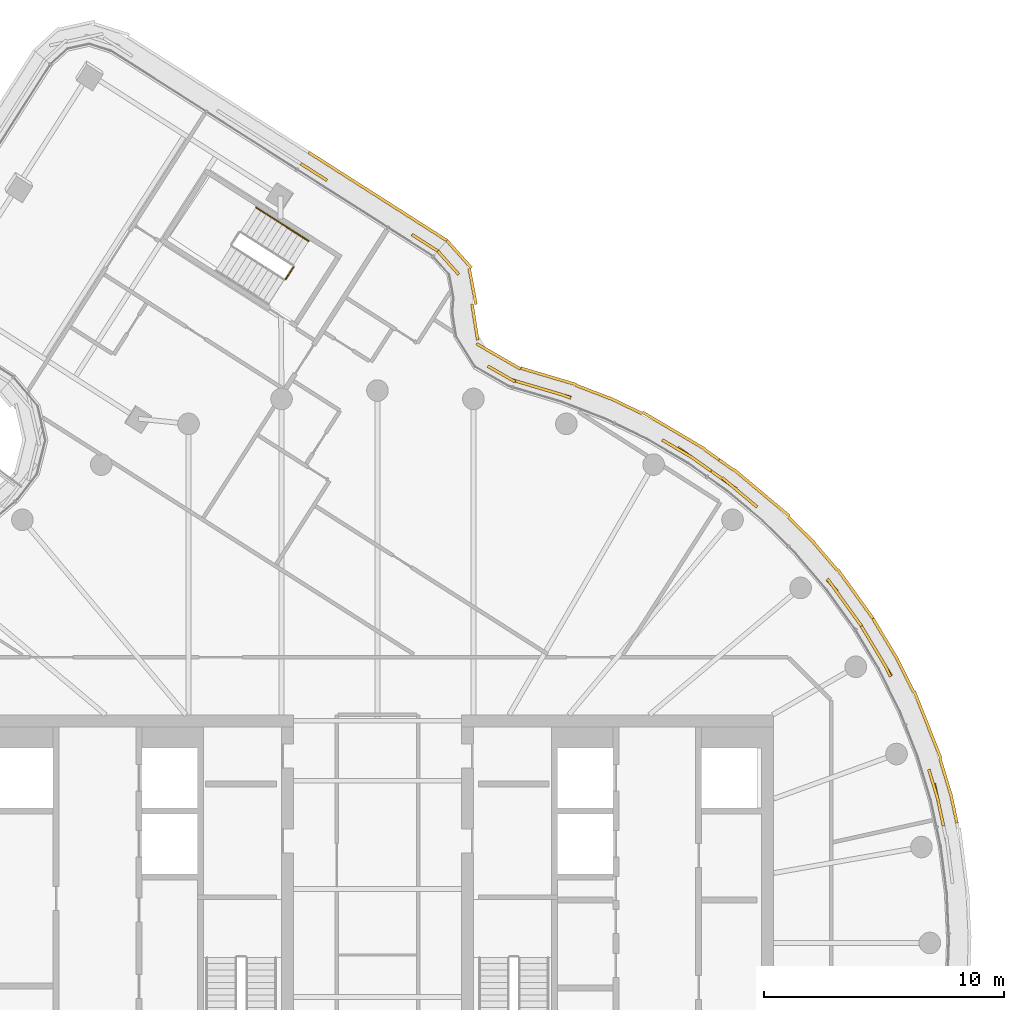
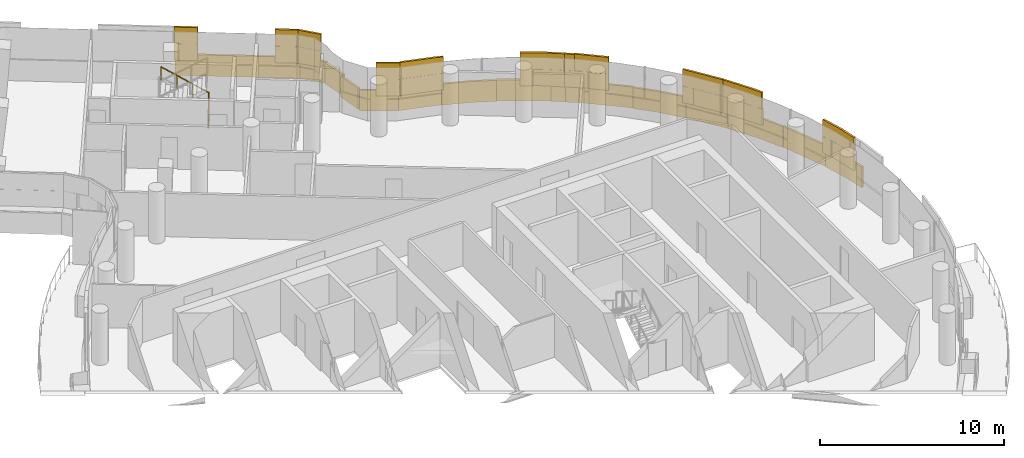
# One storey, part 26 of 27: 5 coverings, 2 railings.
"""IFC4 building model written with IfcOpenShell, lengths in metres."""

from ifc_helpers import new_model, si_unit, direction, frame, origin, origin_2d, place, context, subcontext, project, spatial, rectangle, circle, extrude, material, layer, layer_set, type_object, element, save


model = new_model("IFC4")

# Units and contexts
model_context = context("Model", 3, precision=1e-05, world=origin(), true_north=direction((0.0, 1.0)))
body_context = subcontext(model_context, "Body", "Model", "MODEL_VIEW")
ifc_project = project(units=[si_unit("LENGTHUNIT", "METRE"), si_unit("AREAUNIT", "SQUARE_METRE"), si_unit("VOLUMEUNIT", "CUBIC_METRE"), si_unit("PLANEANGLEUNIT", "RADIAN"), si_unit("MASSUNIT", "GRAM", prefix="KILO")], contexts=[model_context])

# Site, building, storey
site_placement = place(None, origin())
site = spatial("IfcSite", under=ifc_project, at=site_placement, CompositionType="ELEMENT")
building_placement = place(site_placement, origin())
building = spatial("IfcBuilding", under=site, at=building_placement, Name="Tamarind Cross Interchange Tower", CompositionType="ELEMENT")
storey_placement = place(building_placement, frame((0.0, 0.0, 241.5)))
storey = spatial("IfcBuildingStorey", under=building, at=storey_placement, Name="L61", CompositionType="ELEMENT", Elevation=241.5)

# Railings
ifc_material_1 = material(Name="Stair guard")
railing_type_1 = type_object("IfcRailingType", Name="Stair guard", PredefinedType="GUARDRAIL", material=ifc_material_1)
railing_1_placement = place(storey_placement, frame((-3.494140625, 28.1435546875, 0.0)))
element("IfcRailing", 1, at=railing_1_placement, inside=storey, type_object=railing_type_1, Name="L61 ST4 stair guard 4", PredefinedType="GUARDRAIL", context=body_context, shape_type="SweptSolid", body=[
    extrude(circle(Radius=0.02392578125, at=origin_2d()), frame((0.0, 0.0, 1.076171875), z_axis=(-0.537875523964, -0.84302427054, 0.0), x_axis=(0.84302427054, -0.537875523964, 0.0)), (0.0, 0.0, 1.0), 0.60009765625),
    extrude(circle(Radius=0.02099609375, at=origin_2d()), origin(), (0.0, 0.0, 1.0), 1.052001953125),
    extrude(circle(Radius=0.02099609375, at=origin_2d()), frame((-0.32275390625, -0.505859375, 0.0)), (0.0, 0.0, 1.0), 1.052001953125),
])
ifc_material_2 = material(Name="Stair handrail")
railing_type_2 = type_object("IfcRailingType", Name="Stair handrail", PredefinedType="HANDRAIL", material=ifc_material_2)
railing_2_placement = place(storey_placement, frame((-2.864013671875, 29.22412109375, 0.16357421875)))
element("IfcRailing", 2, at=railing_2_placement, inside=storey, type_object=railing_type_2, Name="L61 ST4 stair handrail 1", PredefinedType="HANDRAIL", context=body_context, shape_type="SweptSolid", body=[
    extrude(circle(Radius=0.02392578125, at=origin_2d()), frame((0.0, 0.0, 0.8759765625), z_axis=(-0.71351254491, 0.45517316597, 0.532651140275), x_axis=(-0.537816845355, -0.843061706432, 0.0)), (0.0, 0.0, 1.0), 3.072265625),
    extrude(circle(Radius=0.02099609375, at=origin_2d()), origin(), (0.0, 0.0, 1.0), 0.851806640625),
    extrude(circle(Radius=0.02099609375, at=origin_2d()), frame((-0.730712890625, 0.466064453125, 0.54541015625)), (0.0, 0.0, 1.0), 0.851806640625),
    extrude(circle(Radius=0.02099609375, at=origin_2d()), frame((-1.46142578125, 0.932373046875, 1.091064453125)), (0.0, 0.0, 1.0), 0.851806640625),
    extrude(circle(Radius=0.02099609375, at=origin_2d()), frame((-2.192138671875, 1.3984375, 1.636474609375)), (0.0, 0.0, 1.0), 0.851806640625),
])

# Coverings
ifc_material_3 = material(Name="Terracotta", Category="masonry")
ifc_layer = layer(ifc_material_3, 0.1201171875)
ifc_layer_set = layer_set([ifc_layer], Name="Terracotta")
covering_type = type_object("IfcCoveringType", Name="Terracotta baguette screen unit", PredefinedType="MOLDING", material=ifc_layer_set)
covering_1_placement = place(storey_placement, origin())
element("IfcCovering", 3, at=covering_1_placement, inside=storey, type_object=covering_type, Name="SCR-L61-02-07", PredefinedType="MOLDING", context=body_context, shape_type="SweptSolid", body=[
    extrude(rectangle(XDim=0.303955078125, YDim=0.1201171875, at=origin_2d()), frame((23.5361328125, 5.020263671875, 1.40380859375), z_axis=(0.0, 0.0, 1.0), x_axis=(-0.209425419705, 0.977824623121, 0.0)), (0.0, 0.0, 1.0), 1.092041015625),
    extrude(rectangle(XDim=1.52001953125, YDim=0.1201171875, at=origin_2d()), frame((23.34814453125, 5.897216796875, 1.40380859375), z_axis=(0.0, 0.0, 1.0), x_axis=(-0.209425419705, 0.977824623121, 0.0)), (0.0, 0.0, 1.0), 1.092041015625),
    extrude(rectangle(XDim=0.6376953125, YDim=0.1201171875, at=origin_2d()), frame((23.0498046875, 6.91796875, 1.40380859375), z_axis=(0.0, 0.0, 1.0), x_axis=(-0.289458243079, 0.957190642199, 0.0)), (0.0, 0.0, 1.0), 1.092041015625),
    extrude(rectangle(XDim=1.18212890625, YDim=0.1201171875, at=origin_2d()), frame((21.095703125, 11.617431640625, 1.40380859375), z_axis=(0.0, 0.0, 1.0), x_axis=(-0.515577308909, 0.856843065292, 0.0)), (0.0, 0.0, 1.0), 1.092041015625),
    extrude(rectangle(XDim=1.259521484375, YDim=0.1201171875, at=origin_2d()), frame((20.471435546875, 12.65478515625, 1.40380859375), z_axis=(0.0, 0.0, 1.0), x_axis=(-0.515577308909, 0.856843065292, 0.0)), (0.0, 0.0, 1.0), 1.092041015625),
    extrude(rectangle(XDim=1.053955078125, YDim=0.1201171875, at=origin_2d()), frame((23.45751953125, 5.38671875, 2.50390625), z_axis=(0.0, 0.0, 1.0), x_axis=(-0.209425419705, 0.977824623121, 0.0)), (0.0, 0.0, 1.0), 1.092041015625),
    extrude(rectangle(XDim=1.3876953125, YDim=0.1201171875, at=origin_2d()), frame((23.158203125, 6.55908203125, 2.50390625), z_axis=(0.0, 0.0, 1.0), x_axis=(-0.289458243079, 0.957190642199, 0.0)), (0.0, 0.0, 1.0), 1.092041015625),
    extrude(rectangle(XDim=0.43212890625, YDim=0.1201171875, at=origin_2d()), frame((21.267333984375, 11.2841796875, 2.50390625), z_axis=(0.0, 0.0, 1.0), x_axis=(-0.443058811505, 0.896492548518, 0.0)), (0.0, 0.0, 1.0), 1.092041015625),
    extrude(rectangle(XDim=1.52001953125, YDim=0.1201171875, at=origin_2d()), frame((20.793701171875, 12.11962890625, 2.50390625), z_axis=(0.0, 0.0, 1.0), x_axis=(-0.515577308909, 0.856843065292, 0.0)), (0.0, 0.0, 1.0), 1.092041015625),
    extrude(rectangle(XDim=0.509521484375, YDim=0.1201171875, at=origin_2d()), frame((20.278076171875, 12.976318359375, 2.50390625), z_axis=(0.0, 0.0, 1.0), x_axis=(-0.515577308909, 0.856843065292, 0.0)), (0.0, 0.0, 1.0), 1.092041015625),
    extrude(rectangle(XDim=1.284912109375, YDim=0.1201171875, at=origin_2d()), frame((23.994384765625, 5.62109375, 0.00390625), z_axis=(0.0, 0.0, 1.0), x_axis=(-0.209425419705, 0.977824623121, 0.0)), (0.0, 0.0, 1.0), 1.39208984375),
    extrude(rectangle(XDim=1.52001953125, YDim=0.1201171875, at=origin_2d()), frame((23.637939453125, 6.95556640625, 0.00390625), z_axis=(0.0, 0.0, 1.0), x_axis=(-0.289458243079, 0.957190642199, 0.0)), (0.0, 0.0, 1.0), 1.39208984375),
    extrude(rectangle(XDim=1.52001953125, YDim=0.1201171875, at=origin_2d()), frame((23.1806640625, 8.38330078125, 0.00390625), z_axis=(0.0, 0.0, 1.0), x_axis=(-0.367513773146, 0.930018078613, 0.0)), (0.0, 0.0, 1.0), 1.39208984375),
    extrude(rectangle(XDim=1.52001953125, YDim=0.1201171875, at=origin_2d()), frame((22.62939453125, 9.7783203125, 0.00390625), z_axis=(0.0, 0.0, 1.0), x_axis=(-0.367513773146, 0.930018078613, 0.0)), (0.0, 0.0, 1.0), 1.39208984375),
    extrude(rectangle(XDim=1.52001953125, YDim=0.1201171875, at=origin_2d()), frame((21.983154296875, 11.13134765625, 0.00390625), z_axis=(0.0, 0.0, 1.0), x_axis=(-0.443058811505, 0.896492548518, 0.0)), (0.0, 0.0, 1.0), 1.39208984375),
    extrude(rectangle(XDim=1.52001953125, YDim=0.1201171875, at=origin_2d()), frame((21.266357421875, 12.447509765625, 0.00390625), z_axis=(0.0, 0.0, 1.0), x_axis=(-0.515577308909, 0.856843065292, 0.0)), (0.0, 0.0, 1.0), 1.39208984375),
    extrude(rectangle(XDim=0.494140625, YDim=0.1201171875, at=origin_2d()), frame((20.75732421875, 13.293212890625, 0.00390625), z_axis=(0.0, 0.0, 1.0), x_axis=(-0.515577308909, 0.856843065292, 0.0)), (0.0, 0.0, 1.0), 1.39208984375),
])
covering_2_placement = place(storey_placement, origin())
element("IfcCovering", 4, at=covering_2_placement, inside=storey, type_object=covering_type, Name="SCR-L61-02-08", PredefinedType="MOLDING", context=body_context, shape_type="SweptSolid", body=[
    extrude(rectangle(XDim=0.260498046875, YDim=0.1201171875, at=origin_2d()), frame((20.081787109375, 13.295654296875, 1.40380859375), z_axis=(0.0, 0.0, 1.0), x_axis=(-0.584573890505, 0.811340475102, 0.0)), (0.0, 0.0, 1.0), 1.092041015625),
    extrude(rectangle(XDim=1.52001953125, YDim=0.1201171875, at=origin_2d()), frame((19.5703125, 14.005615234375, 1.40380859375), z_axis=(0.0, 0.0, 1.0), x_axis=(-0.584573890505, 0.811340475102, 0.0)), (0.0, 0.0, 1.0), 1.092041015625),
    extrude(rectangle(XDim=0.680908203125, YDim=0.1201171875, at=origin_2d()), frame((18.934814453125, 14.8857421875, 1.40380859375), z_axis=(0.0, 0.0, 1.0), x_axis=(-0.64957723968, 0.760295606781, 0.0)), (0.0, 0.0, 1.0), 1.092041015625),
    extrude(rectangle(XDim=1.13916015625, YDim=0.1201171875, at=origin_2d()), frame((15.369873046875, 18.5185546875, 1.40380859375), z_axis=(0.0, 0.0, 1.0), x_axis=(-0.765858396687, 0.643009266048, 0.0)), (0.0, 0.0, 1.0), 1.092041015625),
    extrude(rectangle(XDim=1.30224609375, YDim=0.1201171875, at=origin_2d()), frame((14.4248046875, 19.27392578125, 1.40380859375), z_axis=(0.0, 0.0, 1.0), x_axis=(-0.816341886298, 0.577568978284, 0.0)), (0.0, 0.0, 1.0), 1.092041015625),
    extrude(rectangle(XDim=1.010498046875, YDim=0.1201171875, at=origin_2d()), frame((19.862548828125, 13.599853515625, 2.50390625), z_axis=(0.0, 0.0, 1.0), x_axis=(-0.584573890505, 0.811340475102, 0.0)), (0.0, 0.0, 1.0), 1.092041015625),
    extrude(rectangle(XDim=1.430908203125, YDim=0.1201171875, at=origin_2d()), frame((19.15478515625, 14.58203125, 2.50390625), z_axis=(0.0, 0.0, 1.0), x_axis=(-0.584573890505, 0.811340475102, 0.0)), (0.0, 0.0, 1.0), 1.092041015625),
    extrude(rectangle(XDim=0.38916015625, YDim=0.1201171875, at=origin_2d()), frame((15.656982421875, 18.27734375, 2.50390625), z_axis=(0.0, 0.0, 1.0), x_axis=(-0.765858396687, 0.643009266048, 0.0)), (0.0, 0.0, 1.0), 1.092041015625),
    extrude(rectangle(XDim=1.52001953125, YDim=0.1201171875, at=origin_2d()), frame((14.9375, 18.881591796875, 2.50390625), z_axis=(0.0, 0.0, 1.0), x_axis=(-0.765858396687, 0.643009266048, 0.0)), (0.0, 0.0, 1.0), 1.092041015625),
    extrude(rectangle(XDim=0.55224609375, YDim=0.1201171875, at=origin_2d()), frame((14.11865234375, 19.490478515625, 2.50390625), z_axis=(0.0, 0.0, 1.0), x_axis=(-0.816341886298, 0.577568978284, 0.0)), (0.0, 0.0, 1.0), 1.092041015625),
    extrude(rectangle(XDim=1.02587890625, YDim=0.1201171875, at=origin_2d()), frame((20.3359375, 13.9248046875, 0.00390625), z_axis=(0.0, 0.0, 1.0), x_axis=(-0.584573890505, 0.811340475102, 0.0)), (0.0, 0.0, 1.0), 1.39208984375),
    extrude(rectangle(XDim=1.52001953125, YDim=0.1201171875, at=origin_2d()), frame((19.603515625, 14.94140625, 0.00390625), z_axis=(0.0, 0.0, 1.0), x_axis=(-0.584573890505, 0.811340475102, 0.0)), (0.0, 0.0, 1.0), 1.39208984375),
    extrude(rectangle(XDim=1.52001953125, YDim=0.1201171875, at=origin_2d()), frame((18.65234375, 16.10009765625, 0.00390625), z_axis=(0.0, 0.0, 1.0), x_axis=(-0.64957723968, 0.760295606781, 0.0)), (0.0, 0.0, 1.0), 1.39208984375),
    extrude(rectangle(XDim=1.52001953125, YDim=0.1201171875, at=origin_2d()), frame((17.64111328125, 17.20654296875, 0.00390625), z_axis=(0.0, 0.0, 1.0), x_axis=(-0.710143317658, 0.704057148523, 0.0)), (0.0, 0.0, 1.0), 1.39208984375),
    extrude(rectangle(XDim=1.52001953125, YDim=0.1201171875, at=origin_2d()), frame((16.572265625, 18.25830078125, 0.00390625), z_axis=(0.0, 0.0, 1.0), x_axis=(-0.765858396687, 0.643009266048, 0.0)), (0.0, 0.0, 1.0), 1.39208984375),
    extrude(rectangle(XDim=1.52001953125, YDim=0.1201171875, at=origin_2d()), frame((15.42333984375, 19.222900390625, 0.00390625), z_axis=(0.0, 0.0, 1.0), x_axis=(-0.765858396687, 0.643009266048, 0.0)), (0.0, 0.0, 1.0), 1.39208984375),
    extrude(rectangle(XDim=0.75244140625, YDim=0.1201171875, at=origin_2d()), frame((14.535888671875, 19.8984375, 0.00390625), z_axis=(0.0, 0.0, 1.0), x_axis=(-0.816341886298, 0.577568978284, 0.0)), (0.0, 0.0, 1.0), 1.39208984375),
])
covering_3_placement = place(storey_placement, origin())
element("IfcCovering", 5, at=covering_3_placement, inside=storey, type_object=covering_type, Name="SCR-L61-02-09", PredefinedType="MOLDING", context=body_context, shape_type="SweptSolid", body=[
    extrude(rectangle(XDim=0.2177734375, YDim=0.1201171875, at=origin_2d()), frame((13.8125, 19.70703125, 1.40380859375), z_axis=(0.0, 0.0, 1.0), x_axis=(-0.816341886298, 0.577568978284, 0.0)), (0.0, 0.0, 1.0), 1.092041015625),
    extrude(rectangle(XDim=1.52001953125, YDim=0.1201171875, at=origin_2d()), frame((13.115478515625, 20.2001953125, 1.40380859375), z_axis=(0.0, 0.0, 1.0), x_axis=(-0.816341886298, 0.577568978284, 0.0)), (0.0, 0.0, 1.0), 1.092041015625),
    extrude(rectangle(XDim=0.716552734375, YDim=0.1201171875, at=origin_2d()), frame((12.1669921875, 20.763427734375, 1.40380859375), z_axis=(0.0, 0.0, 1.0), x_axis=(-0.861248933065, 0.508183308752, 0.0)), (0.0, 0.0, 1.0), 1.092041015625),
    extrude(rectangle(XDim=1.103515625, YDim=0.1201171875, at=origin_2d()), frame((7.53466796875, 22.870361328125, 1.40380859375), z_axis=(0.0, 0.0, 1.0), x_axis=(-0.958535024845, 0.284974746504, 0.0)), (0.0, 0.0, 1.0), 1.092041015625),
    extrude(rectangle(XDim=1.330810546875, YDim=0.1201171875, at=origin_2d()), frame((6.37744140625, 23.21435546875, 1.40380859375), z_axis=(0.0, 0.0, 1.0), x_axis=(-0.958535024845, 0.284974746504, 0.0)), (0.0, 0.0, 1.0), 1.092041015625),
    extrude(rectangle(XDim=0.9677734375, YDim=0.1201171875, at=origin_2d()), frame((13.50634765625, 19.923583984375, 2.50390625), z_axis=(0.0, 0.0, 1.0), x_axis=(-0.816341886298, 0.577568978284, 0.0)), (0.0, 0.0, 1.0), 1.092041015625),
    extrude(rectangle(XDim=1.466552734375, YDim=0.1201171875, at=origin_2d()), frame((12.48974609375, 20.57275390625, 2.50390625), z_axis=(0.0, 0.0, 1.0), x_axis=(-0.861248933065, 0.508183308752, 0.0)), (0.0, 0.0, 1.0), 1.092041015625),
    extrude(rectangle(XDim=0.353515625, YDim=0.1201171875, at=origin_2d()), frame((7.8896484375, 22.75, 2.50390625), z_axis=(0.0, 0.0, 1.0), x_axis=(-0.933146843667, 0.359495435512, 0.0)), (0.0, 0.0, 1.0), 1.092041015625),
    extrude(rectangle(XDim=1.52001953125, YDim=0.1201171875, at=origin_2d()), frame((7.010498046875, 23.026123046875, 2.50390625), z_axis=(0.0, 0.0, 1.0), x_axis=(-0.958535024845, 0.284974746504, 0.0)), (0.0, 0.0, 1.0), 1.092041015625),
    extrude(rectangle(XDim=0.580810546875, YDim=0.1201171875, at=origin_2d()), frame((6.01806640625, 23.3212890625, 2.50390625), z_axis=(0.0, 0.0, 1.0), x_axis=(-0.958535024845, 0.284974746504, 0.0)), (0.0, 0.0, 1.0), 1.092041015625),
    extrude(rectangle(XDim=0.767578125, YDim=0.1201171875, at=origin_2d()), frame((13.91552734375, 20.33740234375, 0.00390625), z_axis=(0.0, 0.0, 1.0), x_axis=(-0.816341886298, 0.577568978284, 0.0)), (0.0, 0.0, 1.0), 1.39208984375),
    extrude(rectangle(XDim=1.52001953125, YDim=0.1201171875, at=origin_2d()), frame((12.97607421875, 20.952392578125, 0.00390625), z_axis=(0.0, 0.0, 1.0), x_axis=(-0.861248933065, 0.508183308752, 0.0)), (0.0, 0.0, 1.0), 1.39208984375),
    extrude(rectangle(XDim=1.52001953125, YDim=0.1201171875, at=origin_2d()), frame((11.684326171875, 21.714599609375, 0.00390625), z_axis=(0.0, 0.0, 1.0), x_axis=(-0.861248933065, 0.508183308752, 0.0)), (0.0, 0.0, 1.0), 1.39208984375),
    extrude(rectangle(XDim=1.52001953125, YDim=0.1201171875, at=origin_2d()), frame((10.335693359375, 22.37109375, 0.00390625), z_axis=(0.0, 0.0, 1.0), x_axis=(-0.900272776334, 0.435326231914, 0.0)), (0.0, 0.0, 1.0), 1.39208984375),
    extrude(rectangle(XDim=1.52001953125, YDim=0.1201171875, at=origin_2d()), frame((8.955322265625, 22.95458984375, 0.00390625), z_axis=(0.0, 0.0, 1.0), x_axis=(-0.933146843667, 0.359495435512, 0.0)), (0.0, 0.0, 1.0), 1.39208984375),
    extrude(rectangle(XDim=1.52001953125, YDim=0.1201171875, at=origin_2d()), frame((7.5458984375, 23.4658203125, 0.00390625), z_axis=(0.0, 0.0, 1.0), x_axis=(-0.958535024845, 0.284974746504, 0.0)), (0.0, 0.0, 1.0), 1.39208984375),
    extrude(rectangle(XDim=0.905029296875, YDim=0.1201171875, at=origin_2d()), frame((6.40283203125, 23.8056640625, 0.00390625), z_axis=(0.0, 0.0, 1.0), x_axis=(-0.958535024845, 0.284974746504, 0.0)), (0.0, 0.0, 1.0), 1.39208984375),
])
covering_4_placement = place(storey_placement, origin())
element("IfcCovering", 6, at=covering_4_placement, inside=storey, type_object=covering_type, Name="SCR-L61-02-10", PredefinedType="MOLDING", context=body_context, shape_type="SweptSolid", body=[
    extrude(rectangle(XDim=0.18896484375, YDim=0.1201171875, at=origin_2d()), frame((5.65869140625, 23.427978515625, 1.40380859375), z_axis=(0.0, 0.0, 1.0), x_axis=(-0.958535024845, 0.284974746504, 0.0)), (0.0, 0.0, 1.0), 1.092041015625),
    extrude(rectangle(XDim=1.1328125, YDim=0.1201171875, at=origin_2d()), frame((5.0869140625, 23.7353515625, 1.40380859375), z_axis=(0.0, 0.0, 1.0), x_axis=(-0.866942230864, 0.498408635906, 0.0)), (0.0, 0.0, 1.0), 1.092041015625),
    extrude(rectangle(XDim=0.687255859375, YDim=0.1201171875, at=origin_2d()), frame((3.156494140625, 28.08935546875, 1.40380859375), z_axis=(0.0, 0.0, 1.0), x_axis=(-0.667603477527, 0.744517022501, 0.0)), (0.0, 0.0, 1.0), 1.092041015625),
    extrude(rectangle(XDim=0.634765625, YDim=0.1201171875, at=origin_2d()), frame((2.721923828125, 28.573974609375, 1.40380859375), z_axis=(0.0, 0.0, 1.0), x_axis=(-0.667603477527, 0.744517022501, 0.0)), (0.0, 0.0, 1.0), 1.092041015625),
    extrude(rectangle(XDim=0.93896484375, YDim=0.1201171875, at=origin_2d()), frame((5.326171875, 23.597900390625, 2.50390625), z_axis=(0.0, 0.0, 1.0), x_axis=(-0.866942230864, 0.498408635906, 0.0)), (0.0, 0.0, 1.0), 1.092041015625),
    extrude(rectangle(XDim=0.3828125, YDim=0.1201171875, at=origin_2d()), frame((4.76171875, 23.92236328125, 2.50390625), z_axis=(0.0, 0.0, 1.0), x_axis=(-0.866942230864, 0.498408635906, 0.0)), (0.0, 0.0, 1.0), 1.092041015625),
    extrude(rectangle(XDim=1.302001953125, YDim=0.1201171875, at=origin_2d()), frame((2.947998046875, 28.32177734375, 2.50390625), z_axis=(0.0, 0.0, 1.0), x_axis=(-0.667603477527, 0.744517022501, 0.0)), (0.0, 0.0, 1.0), 1.092041015625),
    extrude(rectangle(XDim=0.614990234375, YDim=0.1201171875, at=origin_2d()), frame((5.687255859375, 24.05224609375, 0.00390625), z_axis=(0.0, 0.0, 1.0), x_axis=(-0.866942230864, 0.498408635906, 0.0)), (0.0, 0.0, 1.0), 1.39208984375),
    extrude(rectangle(XDim=1.52001953125, YDim=0.1201171875, at=origin_2d()), frame((4.779296875, 24.574462890625, 0.00390625), z_axis=(0.0, 0.0, 1.0), x_axis=(-0.866942230864, 0.498408635906, 0.0)), (0.0, 0.0, 1.0), 1.39208984375),
    extrude(rectangle(XDim=1.52001953125, YDim=0.1201171875, at=origin_2d()), frame((4.05712890625, 25.850830078125, 0.00390625), z_axis=(0.0, 0.0, 1.0), x_axis=(-0.155989879591, 0.98775865345, 0.0)), (0.0, 0.0, 1.0), 1.39208984375),
    extrude(rectangle(XDim=1.52001953125, YDim=0.1201171875, at=origin_2d()), frame((3.96142578125, 27.335693359375, 0.00390625), z_axis=(0.0, 0.0, 1.0), x_axis=(-0.185994257043, 0.982550831432, 0.0)), (0.0, 0.0, 1.0), 1.39208984375),
    extrude(rectangle(XDim=1.52001953125, YDim=0.1201171875, at=origin_2d()), frame((3.40478515625, 28.672119140625, 0.00390625), z_axis=(0.0, 0.0, 1.0), x_axis=(-0.667603477527, 0.744517022501, 0.0)), (0.0, 0.0, 1.0), 1.39208984375),
    extrude(rectangle(XDim=0.03369140625, YDim=0.1201171875, at=origin_2d()), frame((2.8994140625, 29.235595703125, 0.00390625), z_axis=(0.0, 0.0, 1.0), x_axis=(-0.667603477527, 0.744517022501, 0.0)), (0.0, 0.0, 1.0), 1.39208984375),
])
covering_5_placement = place(storey_placement, origin())
element("IfcCovering", 7, at=covering_5_placement, inside=storey, type_object=covering_type, Name="SCR-L61-03-00", PredefinedType="MOLDING", context=body_context, shape_type="SweptSolid", body=[
    extrude(rectangle(XDim=0.760009765625, YDim=0.1201171875, at=origin_2d()), frame((2.197265625, 29.00830078125, 1.40380859375), z_axis=(0.0, 0.0, 1.0), x_axis=(-0.843053684056, 0.537829420727, 0.0)), (0.0, 0.0, 1.0), 1.092041015625),
    extrude(rectangle(XDim=0.5380859375, YDim=0.1201171875, at=origin_2d()), frame((1.658447265625, 29.351806640625, 1.40380859375), z_axis=(0.0, 0.0, 1.0), x_axis=(-0.843053684056, 0.537829420727, 0.0)), (0.0, 0.0, 1.0), 1.092041015625),
    extrude(rectangle(XDim=1.281982421875, YDim=0.1201171875, at=origin_2d()), frame((-2.64111328125, 32.0947265625, 1.40380859375), z_axis=(0.0, 0.0, 1.0), x_axis=(-0.843053684056, 0.537829420727, 0.0)), (0.0, 0.0, 1.0), 1.092041015625),
    extrude(rectangle(XDim=1.278076171875, YDim=0.1201171875, at=origin_2d()), frame((1.974609375, 29.150146484375, 2.50390625), z_axis=(0.0, 0.0, 1.0), x_axis=(-0.843053684056, 0.537829420727, 0.0)), (0.0, 0.0, 1.0), 1.092041015625),
    extrude(rectangle(XDim=0.531982421875, YDim=0.1201171875, at=origin_2d()), frame((-2.324951171875, 31.89306640625, 2.50390625), z_axis=(0.0, 0.0, 1.0), x_axis=(-0.843053684056, 0.537829420727, 0.0)), (0.0, 0.0, 1.0), 1.092041015625),
    extrude(rectangle(XDim=0.76611328125, YDim=0.1201171875, at=origin_2d()), frame((-2.86376953125, 32.23681640625, 2.50390625), z_axis=(0.0, 0.0, 1.0), x_axis=(-0.843053684056, 0.537829420727, 0.0)), (0.0, 0.0, 1.0), 1.092041015625),
    extrude(rectangle(XDim=0.760009765625, YDim=0.1201171875, at=origin_2d()), frame((2.56787109375, 29.45263671875, 0.00390625), z_axis=(0.0, 0.0, 1.0), x_axis=(-0.843053684056, 0.537829420727, 0.0)), (0.0, 0.0, 1.0), 1.39208984375),
    extrude(rectangle(XDim=1.52001953125, YDim=0.1201171875, at=origin_2d()), frame((1.623779296875, 30.054931640625, 0.00390625), z_axis=(0.0, 0.0, 1.0), x_axis=(-0.843053684056, 0.537829420727, 0.0)), (0.0, 0.0, 1.0), 1.39208984375),
    extrude(rectangle(XDim=1.52001953125, YDim=0.1201171875, at=origin_2d()), frame((0.359130859375, 30.861572265625, 0.00390625), z_axis=(0.0, 0.0, 1.0), x_axis=(-0.843053684056, 0.537829420727, 0.0)), (0.0, 0.0, 1.0), 1.39208984375),
    extrude(rectangle(XDim=1.52001953125, YDim=0.1201171875, at=origin_2d()), frame((-0.905517578125, 31.66845703125, 0.00390625), z_axis=(0.0, 0.0, 1.0), x_axis=(-0.843053684056, 0.537829420727, 0.0)), (0.0, 0.0, 1.0), 1.39208984375),
    extrude(rectangle(XDim=1.52001953125, YDim=0.1201171875, at=origin_2d()), frame((-2.170166015625, 32.47509765625, 0.00390625), z_axis=(0.0, 0.0, 1.0), x_axis=(-0.843053684056, 0.537829420727, 0.0)), (0.0, 0.0, 1.0), 1.39208984375),
    extrude(rectangle(XDim=0.0810546875, YDim=0.1201171875, at=origin_2d()), frame((-2.828125, 32.89501953125, 0.00390625), z_axis=(0.0, 0.0, 1.0), x_axis=(-0.843053684056, 0.537829420727, 0.0)), (0.0, 0.0, 1.0), 1.39208984375),
])

save(model, "model.ifc")
